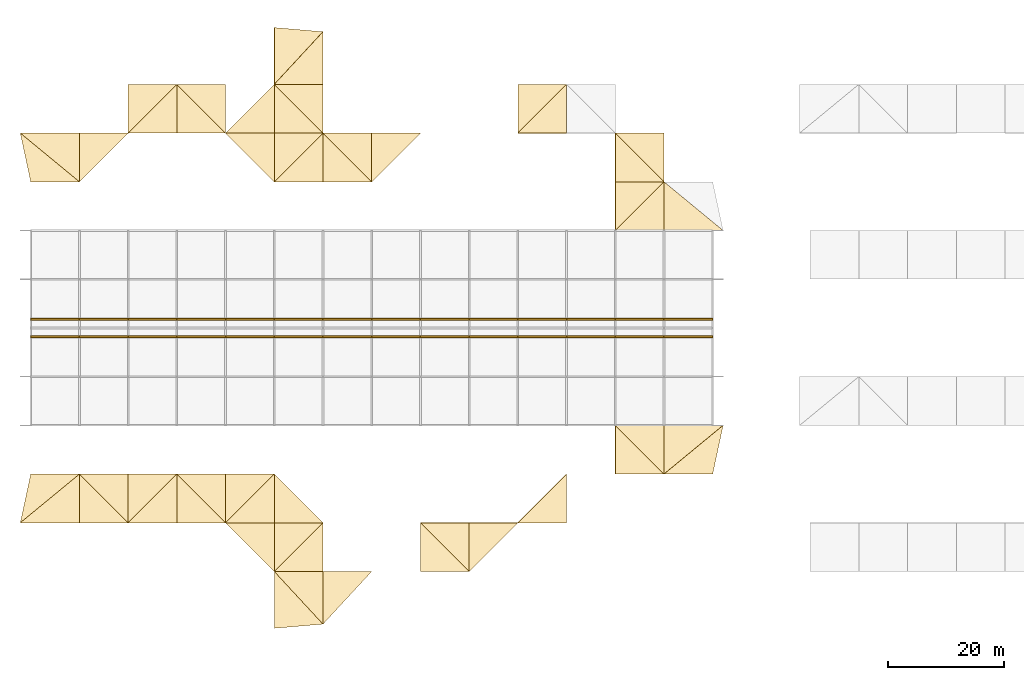
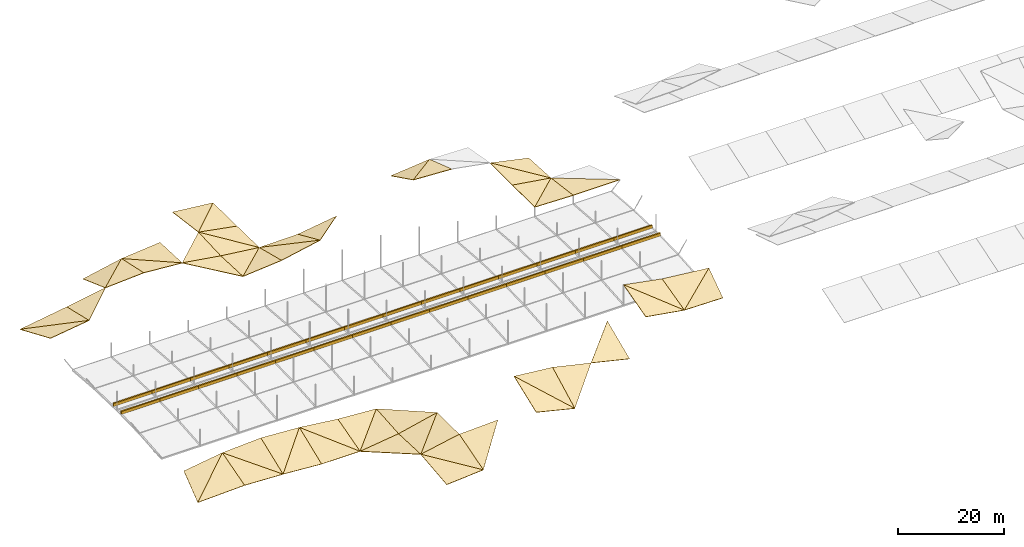
# One storey, part 36 of 37: 78 coverings.
"""IFC4 building model written with IfcOpenShell, lengths in metres."""

from ifc_helpers import new_model, si_unit, direction, frame, origin, origin_2d, place, context, subcontext, project, spatial, polyline, rectangle, outline, extrude, material, layer, layer_set, type_object, element, save


model = new_model("IFC4")

# Units and contexts
model_context = context("Model", 3, precision=1e-05, world=origin(), true_north=direction((0.0, 1.0)))
body_context = subcontext(model_context, "Body", "Model", "MODEL_VIEW")
ifc_project = project(units=[si_unit("LENGTHUNIT", "METRE"), si_unit("AREAUNIT", "SQUARE_METRE"), si_unit("VOLUMEUNIT", "CUBIC_METRE"), si_unit("PLANEANGLEUNIT", "RADIAN"), si_unit("MASSUNIT", "GRAM", prefix="KILO")], contexts=[model_context])

# Site, building, storey
site_placement = place(None, origin())
site = spatial("IfcSite", under=ifc_project, at=site_placement, CompositionType="ELEMENT")
building_placement = place(site_placement, origin())
building = spatial("IfcBuilding", under=site, at=building_placement, Name="Rain Tree Exposition and Congress Centre", CompositionType="ELEMENT")
storey_placement = place(building_placement, frame((0.0, 0.0, 25.0)))
storey = spatial("IfcBuildingStorey", under=building, at=storey_placement, Name="ROOF VAULT LOW", CompositionType="ELEMENT", Elevation=25.0)

# Coverings
ifc_material_1 = material(Name="Precast concrete C50/60", Category="concrete")
ifc_layer_1 = layer(ifc_material_1, 0.300048828125)
ifc_layer_set_1 = layer_set([ifc_layer_1], Name="Precast concrete C50/60")
covering_type_1 = type_object("IfcCoveringType", Name="Ridge lantern kerb 300", PredefinedType="CLADDING", material=ifc_layer_set_1)
for number, where, z_axis, x_axis, name in (
    (1, (12.60009765625, 149.699951171875, 1.2998046875), (0.0, 0.0, 1.0), (1.0, 0.0, 0.0), "Lantern kerb S0"),
    (2, (21.0, 149.699951171875, 1.2998046875), (0.0, 0.0, 1.0), (1.0, 0.0, 0.0), "Lantern kerb S1"),
    (3, (29.39990234375, 149.699951171875, 1.2998046875), (0.0, 0.0, 1.0), (1.0, 0.0, 0.0), "Lantern kerb S2"),
    (4, (37.800048828125, 149.699951171875, 1.2998046875), (0.0, 0.0, 1.0), (1.0, 0.0, 0.0), "Lantern kerb S3"),
    (5, (46.199951171875, 149.699951171875, 1.2998046875), (0.0, 0.0, 1.0), (1.0, 0.0, 0.0), "Lantern kerb S4"),
    (6, (54.60009765625, 149.699951171875, 1.2998046875), (0.0, 0.0, 1.0), (1.0, 0.0, 0.0), "Lantern kerb S5"),
    (7, (63.0, 149.699951171875, 1.2998046875), (0.0, 0.0, 1.0), (1.0, 0.0, 0.0), "Lantern kerb S6"),
    (8, (71.39990234375, 149.699951171875, 1.2998046875), (0.0, 0.0, 1.0), (1.0, 0.0, 0.0), "Lantern kerb S7"),
    (9, (79.800048828125, 149.699951171875, 1.2998046875), (0.0, 0.0, 1.0), (1.0, 0.0, 0.0), "Lantern kerb S8"),
    (10, (88.199951171875, 149.699951171875, 1.2998046875), (0.0, 0.0, 1.0), (1.0, 0.0, 0.0), "Lantern kerb S9"),
    (11, (96.60009765625, 149.699951171875, 1.2998046875), (0.0, 0.0, 1.0), (1.0, 0.0, 0.0), "Lantern kerb S10"),
    (12, (105.0, 149.699951171875, 1.2998046875), (0.0, 0.0, 1.0), (1.0, 0.0, 0.0), "Lantern kerb S11"),
    (13, (113.39990234375, 149.699951171875, 1.2998046875), (0.0, 0.0, 1.0), (1.0, 0.0, 0.0), "Lantern kerb S12"),
    (14, (121.800048828125, 149.699951171875, 1.2998046875), (0.0, 0.0, 1.0), (1.0, 0.0, 0.0), "Lantern kerb S13"),
    (15, (12.60009765625, 152.699951171875, 1.2998046875), (0.0, 0.0, 1.0), (1.0, 0.0, 0.0), "Lantern kerb N0"),
    (16, (21.0, 152.699951171875, 1.2998046875), (0.0, 0.0, 1.0), (1.0, 0.0, 0.0), "Lantern kerb N1"),
    (17, (29.39990234375, 152.699951171875, 1.2998046875), (0.0, 0.0, 1.0), (1.0, 0.0, 0.0), "Lantern kerb N2"),
    (18, (37.800048828125, 152.699951171875, 1.2998046875), (0.0, 0.0, 1.0), (1.0, 0.0, 0.0), "Lantern kerb N3"),
    (19, (46.199951171875, 152.699951171875, 1.2998046875), (0.0, 0.0, 1.0), (1.0, 0.0, 0.0), "Lantern kerb N4"),
    (20, (54.60009765625, 152.699951171875, 1.2998046875), (0.0, 0.0, 1.0), (1.0, 0.0, 0.0), "Lantern kerb N5"),
    (21, (63.0, 152.699951171875, 1.2998046875), (0.0, 0.0, 1.0), (1.0, 0.0, 0.0), "Lantern kerb N6"),
    (22, (71.39990234375, 152.699951171875, 1.2998046875), (0.0, 0.0, 1.0), (1.0, 0.0, 0.0), "Lantern kerb N7"),
    (23, (79.800048828125, 152.699951171875, 1.2998046875), (0.0, 0.0, 1.0), (1.0, 0.0, 0.0), "Lantern kerb N8"),
    (24, (88.199951171875, 152.699951171875, 1.2998046875), (0.0, 0.0, 1.0), (1.0, 0.0, 0.0), "Lantern kerb N9"),
    (25, (96.60009765625, 152.699951171875, 1.2998046875), (0.0, 0.0, 1.0), (1.0, 0.0, 0.0), "Lantern kerb N10"),
    (26, (105.0, 152.699951171875, 1.2998046875), (0.0, 0.0, 1.0), (1.0, 0.0, 0.0), "Lantern kerb N11"),
    (27, (113.39990234375, 152.699951171875, 1.2998046875), (0.0, 0.0, 1.0), (1.0, 0.0, 0.0), "Lantern kerb N12"),
    (28, (121.800048828125, 152.699951171875, 1.2998046875), (0.0, 0.0, 1.0), (1.0, 0.0, 0.0), "Lantern kerb N13"),
):
    element("IfcCovering", number, at=place(storey_placement, frame(where, z_axis=z_axis, x_axis=x_axis)), inside=storey, type_object=covering_type_1, Name=name, PredefinedType="CLADDING", context=body_context, shape_type="SweptSolid", body=[
        extrude(rectangle(XDim=8.39990234375, YDim=0.300048828125, at=origin_2d()), origin(), (0.0, 0.0, 1.0), 0.699951171875),
    ])
ifc_material_2 = material(Name="Aluminium composite cladding", Category="aluminium")
ifc_layer_2 = layer(ifc_material_2, 0.10009765625)
ifc_layer_set_2 = layer_set([ifc_layer_2], Name="Aluminium composite cladding")
covering_type_2 = type_object("IfcCoveringType", Name="Triangular aluminium roof skin facet 100", PredefinedType="CLADDING", material=ifc_layer_set_2)
covering_1_placement = place(storey_placement, frame((50.39990234375, 99.400390625, 0.86572265625), z_axis=(0.006523913549, -0.105168739859, 0.994432991563), x_axis=(0.996324172843, 0.085625906911, 0.002519260704)))
element("IfcCovering", 29, at=covering_1_placement, inside=storey, type_object=covering_type_2, Name="Roof skin facet A11", PredefinedType="CLADDING", context=body_context, shape_type="SweptSolid", body=[
    extrude(outline(polyline([(0.0, 0.0), (8.431137889996144, -8.196568423990414e-17), (0.841707162890582, 9.818197041859387), (0.0, 0.0)])), origin(), (0.0, 0.0, -1.0), 0.10009765625),
])
covering_2_placement = place(storey_placement, frame((58.800048828125, 100.122314453125, 0.886962890625), z_axis=(-0.188889511151, -0.280047134378, 0.941219610454), x_axis=(0.0, 0.958473722268, 0.285180861423)))
element("IfcCovering", 30, at=covering_2_placement, inside=storey, type_object=covering_type_2, Name="Roof skin facet A12", PredefinedType="CLADDING", context=body_context, shape_type="SweptSolid", body=[
    extrude(outline(polyline([(0.0, 0.0), (9.470929153146185, 0.0), (8.990173819130282, 8.554135059498119), (0.0, 0.0)])), origin(), (0.0, 0.0, -1.0), 0.10009765625),
])
covering_3_placement = place(storey_placement, frame((58.800048828125, 100.122314453125, 0.886962890625), z_axis=(-0.040194082527, -0.284950404301, 0.957699171357), x_axis=(0.659377871638, 0.712578853201, 0.239691886316)))
element("IfcCovering", 31, at=covering_3_placement, inside=storey, type_object=covering_type_2, Name="Roof skin facet A14", PredefinedType="CLADDING", context=body_context, shape_type="SweptSolid", body=[
    extrude(outline(polyline([(0.0, 0.0), (12.739132908552019, -7.216449660063518e-16), (7.115922426275624, 6.249971763707574), (0.0, 0.0)])), origin(), (0.0, 0.0, -1.0), 0.10009765625),
])
covering_4_placement = place(storey_placement, frame((50.39990234375, 109.199951171875, 1.902099609375), z_axis=(-0.131074343371, 0.041598269582, 0.990499419726), x_axis=(0.0, 0.999119279611, -0.041960280148)))
element("IfcCovering", 32, at=covering_4_placement, inside=storey, type_object=covering_type_2, Name="Roof skin facet A38", PredefinedType="CLADDING", context=body_context, shape_type="SweptSolid", body=[
    extrude(outline(polyline([(0.0, 0.0), (8.407551186128147, 0.0), (8.454193069798045, 8.473002821959353), (0.0, 0.0)])), origin(), (0.0, 0.0, -1.0), 0.10009765625),
])
covering_5_placement = place(storey_placement, frame((50.39990234375, 109.199951171875, 1.902099609375), z_axis=(-0.196752141684, 0.010371872494, 0.980398398104), x_axis=(0.9804511359, 0.0, 0.196762725416)))
element("IfcCovering", 33, at=covering_5_placement, inside=storey, type_object=covering_type_2, Name="Roof skin facet A39", PredefinedType="CLADDING", context=body_context, shape_type="SweptSolid", body=[
    extrude(outline(polyline([(0.0, 0.0), (8.567633997044904, 0.0), (8.550148247032352, 8.400598346815443), (0.0, 0.0)])), origin(), (0.0, 0.0, -1.0), 0.10009765625),
])
covering_6_placement = place(storey_placement, frame((50.39990234375, 109.199951171875, 1.902099609375), z_axis=(-0.225904769894, 0.040875581329, 0.973291437233), x_axis=(0.700803277309, 0.700803277309, 0.133227373409)))
element("IfcCovering", 34, at=covering_6_placement, inside=storey, type_object=covering_type_2, Name="Roof skin facet A40", PredefinedType="CLADDING", context=body_context, shape_type="SweptSolid", body=[
    extrude(outline(polyline([(0.0, 0.0), (11.986454339409498, 7.216449660063518e-16), (5.83984980659206, 6.048394099578127), (0.0, 0.0)])), origin(), (0.0, 0.0, -1.0), 0.10009765625),
])
covering_7_placement = place(storey_placement, frame((75.60009765625, 109.199951171875, 2.760498046875), z_axis=(0.221163715567, -0.350148069373, 0.910210382511), x_axis=(0.971726123855, 0.0, -0.236110864251)))
element("IfcCovering", 35, at=covering_7_placement, inside=storey, type_object=covering_type_2, Name="Roof skin facet A45", PredefinedType="CLADDING", context=body_context, shape_type="SweptSolid", body=[
    extrude(outline(polyline([(0.0, 0.0), (8.644310508422919, -1.1102230246251565e-16), (-0.762979345515064, 8.96786274900287), (0.0, 0.0)])), origin(), (0.0, 0.0, -1.0), 0.10009765625),
])
covering_8_placement = place(storey_placement, frame((84.0, 109.199951171875, 0.719482421875), z_axis=(0.09242681999, -0.461402612017, 0.882363254318), x_axis=(0.0, 0.886156464746, 0.46338614566)))
element("IfcCovering", 36, at=covering_8_placement, inside=storey, type_object=covering_type_2, Name="Roof skin facet A46", PredefinedType="CLADDING", context=body_context, shape_type="SweptSolid", body=[
    extrude(outline(polyline([(0.0, 0.0), (9.47930395879287, 0.0), (9.887029463909299, 8.436012865136421), (0.0, 0.0)])), origin(), (0.0, 0.0, -1.0), 0.10009765625),
])
covering_9_placement = place(storey_placement, frame((84.0, 109.199951171875, 0.719482421875), z_axis=(0.200379224256, -0.453987938691, 0.868183804277), x_axis=(0.692477330381, 0.692497457025, 0.202292903786)))
element("IfcCovering", 37, at=covering_9_placement, inside=storey, type_object=covering_type_2, Name="Roof skin facet A48", PredefinedType="CLADDING", context=body_context, shape_type="SweptSolid", body=[
    extrude(outline(polyline([(0.0, 0.0), (12.130219972877056, -2.220446049250313e-16), (6.705667463082461, 6.70009159771293), (0.0, 0.0)])), origin(), (0.0, 0.0, -1.0), 0.10009765625),
])
covering_10_placement = place(storey_placement, frame((6.60009765625, 117.60009765625, 1.021484375), z_axis=(-0.037282725989, -0.276405985861, 0.960317514848), x_axis=(0.999247225293, 0.0, 0.038794107074)))
element("IfcCovering", 38, at=covering_10_placement, inside=storey, type_object=covering_type_2, Name="Roof skin facet A57", PredefinedType="CLADDING", context=body_context, shape_type="SweptSolid", body=[
    extrude(outline(polyline([(0.0, 0.0), (10.207635221484917, 0.0), (10.301428688855362, 8.740420725388045), (0.0, 0.0)])), origin(), (0.0, 0.0, -1.0), 0.10009765625),
])
covering_11_placement = place(storey_placement, frame((6.60009765625, 117.60009765625, 1.021484375), z_axis=(-0.146444786215, -0.149715222368, 0.977823745254), x_axis=(0.75500449997, 0.621764159648, 0.208272741381)))
element("IfcCovering", 39, at=covering_11_placement, inside=storey, type_object=covering_type_2, Name="Roof skin facet A58", PredefinedType="CLADDING", context=body_context, shape_type="SweptSolid", body=[
    extrude(outline(polyline([(0.0, 0.0), (13.509788580446592, 4.85722573273506e-17), (6.905621278984387, 5.341361411126917), (0.0, 0.0)])), origin(), (0.0, 0.0, -1.0), 0.10009765625),
])
covering_12_placement = place(storey_placement, frame((16.800048828125, 117.60009765625, 1.41748046875), z_axis=(0.042137983204, -0.276352614353, 0.96013208618), x_axis=(0.999038324169, 0.0, -0.043845488272)))
element("IfcCovering", 40, at=covering_12_placement, inside=storey, type_object=covering_type_2, Name="Roof skin facet A59", PredefinedType="CLADDING", context=body_context, shape_type="SweptSolid", body=[
    extrude(outline(polyline([(0.0, 0.0), (8.407988102696692, 0.0), (-0.10600631600588023, 8.740281135769095), (0.0, 0.0)])), origin(), (0.0, 0.0, -1.0), 0.10009765625),
])
covering_13_placement = place(storey_placement, frame((25.199951171875, 117.60009765625, 1.048828125), z_axis=(-0.053181078862, -0.361907250305, 0.930695930488), x_axis=(0.0, 0.932014838526, 0.362420116394)))
element("IfcCovering", 41, at=covering_13_placement, inside=storey, type_object=covering_type_2, Name="Roof skin facet A60", PredefinedType="CLADDING", context=body_context, shape_type="SweptSolid", body=[
    extrude(outline(polyline([(0.0, 0.0), (9.012627263566081, 2.7755575615628914e-17), (8.838672686214986, 8.41180601535347), (0.0, 0.0)])), origin(), (0.0, 0.0, -1.0), 0.10009765625),
])
covering_14_placement = place(storey_placement, frame((25.199951171875, 117.60009765625, 1.048828125), z_axis=(0.066940813779, -0.370339408662, 0.926481327304), x_axis=(0.99739994652, 0.0, -0.072064878282)))
element("IfcCovering", 42, at=covering_14_placement, inside=storey, type_object=covering_type_2, Name="Roof skin facet A61", PredefinedType="CLADDING", context=body_context, shape_type="SweptSolid", body=[
    extrude(outline(polyline([(0.0, 0.0), (8.42204424983507, 0.0), (8.18007445710744, 9.042882896312832), (0.0, 0.0)])), origin(), (0.0, 0.0, -1.0), 0.10009765625),
])
covering_15_placement = place(storey_placement, frame((25.199951171875, 117.60009765625, 1.048828125), z_axis=(0.057116341401, -0.36182847617, 0.930493351603), x_axis=(0.688889951618, 0.688869929822, 0.225585580983)))
element("IfcCovering", 43, at=covering_15_placement, inside=storey, type_object=covering_type_2, Name="Roof skin facet A62", PredefinedType="CLADDING", context=body_context, shape_type="SweptSolid", body=[
    extrude(outline(polyline([(0.0, 0.0), (12.193742214769374, -5.551115123125783e-16), (6.523283274758387, 6.218860467097822), (0.0, 0.0)])), origin(), (0.0, 0.0, -1.0), 0.10009765625),
])
covering_16_placement = place(storey_placement, frame((33.60009765625, 117.60009765625, 0.44189453125), z_axis=(0.000458803372, -0.371171927586, 0.928564047156), x_axis=(0.999999877933, 0.0, -0.000494099806)))
element("IfcCovering", 44, at=covering_16_placement, inside=storey, type_object=covering_type_2, Name="Roof skin facet A63", PredefinedType="CLADDING", context=body_context, shape_type="SweptSolid", body=[
    extrude(outline(polyline([(0.0, 0.0), (8.399903369103665, -2.168404344971009e-19), (-0.001659022126895984, 9.046119483218504), (0.0, 0.0)])), origin(), (0.0, 0.0, -1.0), 0.10009765625),
])
covering_17_placement = place(storey_placement, frame((42.0, 117.60009765625, 0.437744140625), z_axis=(0.115161017763, -0.267689589334, 0.956598256192), x_axis=(0.0, 0.963005286651, 0.269482500142)))
element("IfcCovering", 45, at=covering_17_placement, inside=storey, type_object=covering_type_2, Name="Roof skin facet A64", PredefinedType="CLADDING", context=body_context, shape_type="SweptSolid", body=[
    extrude(outline(polyline([(0.0, 0.0), (8.72259213961707, 5.551115123125783e-17), (8.995101054555244, 8.456162565652596), (0.0, 0.0)])), origin(), (0.0, 0.0, -1.0), 0.10009765625),
])
covering_18_placement = place(storey_placement, frame((42.0, 117.60009765625, 0.437744140625), z_axis=(-0.130787433976, -0.078076047781, 0.988331309773), x_axis=(0.99135752158, 0.0, 0.131187897336)))
element("IfcCovering", 46, at=covering_18_placement, inside=storey, type_object=covering_type_2, Name="Roof skin facet A65", PredefinedType="CLADDING", context=body_context, shape_type="SweptSolid", body=[
    extrude(outline(polyline([(0.0, 0.0), (8.473131197275505, 0.0), (8.560184103759882, 8.425622346141504), (0.0, 0.0)])), origin(), (0.0, 0.0, -1.0), 0.10009765625),
])
covering_19_placement = place(storey_placement, frame((42.0, 117.60009765625, 0.437744140625), z_axis=(0.065828059459, -0.268897987471, 0.96091650986), x_axis=(0.699341718567, 0.699341718567, 0.147791479268)))
element("IfcCovering", 47, at=covering_19_placement, inside=storey, type_object=covering_type_2, Name="Roof skin facet A66", PredefinedType="CLADDING", context=body_context, shape_type="SweptSolid", body=[
    extrude(outline(polyline([(0.0, 0.0), (12.011155806585078, 0.0), (6.221798713720803, 6.113332511818056), (0.0, 0.0)])), origin(), (0.0, 0.0, -1.0), 0.10009765625),
])
covering_20_placement = place(storey_placement, frame((50.39990234375, 117.60009765625, 1.54931640625), z_axis=(-0.225427263802, -0.076725408375, 0.971234142956), x_axis=(0.974105551615, 0.0, 0.226093729043)))
element("IfcCovering", 48, at=covering_20_placement, inside=storey, type_object=covering_type_2, Name="Roof skin facet A67", PredefinedType="CLADDING", context=body_context, shape_type="SweptSolid", body=[
    extrude(outline(polyline([(0.0, 0.0), (8.623445858046734, -2.7755575615628914e-17), (0.15002996961427542, 8.424736265103139), (0.0, 0.0)])), origin(), (0.0, 0.0, -1.0), 0.10009765625),
])
covering_21_placement = place(storey_placement, frame((92.39990234375, 117.60009765625, 3.17333984375), z_axis=(0.212549798518, -0.387330596988, 0.897105117468), x_axis=(0.973061424107, 0.0, -0.230546014745)))
element("IfcCovering", 49, at=covering_21_placement, inside=storey, type_object=covering_type_2, Name="Roof skin facet A77", PredefinedType="CLADDING", context=body_context, shape_type="SweptSolid", body=[
    extrude(outline(polyline([(0.0, 0.0), (8.632699104358343, -1.1102230246251565e-16), (7.796575801371869, 9.111107246876536), (0.0, 0.0)])), origin(), (0.0, 0.0, -1.0), 0.10009765625),
])
covering_22_placement = place(storey_placement, frame((109.199951171875, 126.0, 2.84033203125), z_axis=(0.158798824989, -0.261517915229, 0.952045856667), x_axis=(0.9863729961, 0.0, -0.16452450445)))
element("IfcCovering", 50, at=covering_22_placement, inside=storey, type_object=covering_type_2, Name="Roof skin facet A109", PredefinedType="CLADDING", context=body_context, shape_type="SweptSolid", body=[
    extrude(outline(polyline([(0.0, 0.0), (8.516196730433249, 5.551115123125783e-17), (-0.37961940711887276, 8.702770758081629), (0.0, 0.0)])), origin(), (0.0, 0.0, -1.0), 0.10009765625),
])
covering_23_placement = place(storey_placement, frame((117.60009765625, 126.0, 1.439208984375), z_axis=(0.179465303561, -0.241557618361, 0.953646748975), x_axis=(0.0, 0.969385396068, 0.245544199463)))
element("IfcCovering", 51, at=covering_23_placement, inside=storey, type_object=covering_type_2, Name="Roof skin facet A110", PredefinedType="CLADDING", context=body_context, shape_type="SweptSolid", body=[
    extrude(outline(polyline([(0.0, 0.0), (8.66518350474573, -5.551115123125783e-17), (9.053342364981225, 8.538779517196213), (0.0, 0.0)])), origin(), (0.0, 0.0, -1.0), 0.10009765625),
])
covering_24_placement = place(storey_placement, frame((117.60009765625, 126.0, 1.439208984375), z_axis=(0.011341846936, -0.137582701541, 0.990425344357), x_axis=(0.999934438125, 0.0, -0.011450740238)))
element("IfcCovering", 52, at=covering_24_placement, inside=storey, type_object=covering_type_2, Name="Roof skin facet A111", PredefinedType="CLADDING", context=body_context, shape_type="SweptSolid", body=[
    extrude(outline(polyline([(0.0, 0.0), (8.400453093207123, 0.0), (10.187258607581617, 8.4805499760848), (0.0, 0.0)])), origin(), (0.0, 0.0, -1.0), 0.10009765625),
])
covering_25_placement = place(storey_placement, frame((117.60009765625, 126.0, 1.439208984375), z_axis=(0.101883751315, -0.244266463917, 0.964341016354), x_axis=(0.769506431924, 0.633706845467, 0.079217960308)))
element("IfcCovering", 53, at=covering_25_placement, inside=storey, type_object=covering_type_2, Name="Roof skin facet A112", PredefinedType="CLADDING", context=body_context, shape_type="SweptSolid", body=[
    extrude(outline(polyline([(0.0, 0.0), (13.255186374948396, 1.1102230246251565e-16), (5.491626525691513, 6.70279369168102), (0.0, 0.0)])), origin(), (0.0, 0.0, -1.0), 0.10009765625),
])
covering_26_placement = place(storey_placement, frame((109.199951171875, 168.0, 2.675537109375), z_axis=(0.025264732774, 0.129928456736, 0.991201437352), x_axis=(0.999675313657, 0.0, -0.025480723402)))
element("IfcCovering", 54, at=covering_26_placement, inside=storey, type_object=covering_type_2, Name="Roof skin facet A249", PredefinedType="CLADDING", context=body_context, shape_type="SweptSolid", body=[
    extrude(outline(polyline([(0.0, 0.0), (8.402874783060208, 3.469446951953614e-18), (8.430930950672751, 8.4717139158019), (0.0, 0.0)])), origin(), (0.0, 0.0, -1.0), 0.10009765625),
])
covering_27_placement = place(storey_placement, frame((109.199951171875, 168.0, 2.675537109375), z_axis=(0.153392801429, 0.001321152209, 0.988164410929), x_axis=(0.702822936795, 0.702802510052, -0.110038863037)))
element("IfcCovering", 55, at=covering_27_placement, inside=storey, type_object=covering_type_2, Name="Roof skin facet A250", PredefinedType="CLADDING", context=body_context, shape_type="SweptSolid", body=[
    extrude(outline(polyline([(0.0, 0.0), (11.952009595302512, -1.8041124150158794e-15), (5.904708239395882, 5.974354033330757), (0.0, 0.0)])), origin(), (0.0, 0.0, -1.0), 0.10009765625),
])
covering_28_placement = place(storey_placement, frame((117.60009765625, 168.0, 2.46142578125), z_axis=(-0.005315993178, 0.129968107227, 0.991503924006), x_axis=(0.999985627226, 0.0, 0.005361468214)))
element("IfcCovering", 56, at=covering_28_placement, inside=storey, type_object=covering_type_2, Name="Roof skin facet A251", PredefinedType="CLADDING", context=body_context, shape_type="SweptSolid", body=[
    extrude(outline(polyline([(0.0, 0.0), (10.200097775575019, 8.673617379884035e-19), (-0.005903374424711933, 8.471758316306188), (0.0, 0.0)])), origin(), (0.0, 0.0, -1.0), 0.10009765625),
])
covering_29_placement = place(storey_placement, frame((8.39990234375, 176.39990234375, 2.628173828125), z_axis=(-0.134858463311, 0.245063682689, 0.960081760217), x_axis=(0.990278333593, 0.0, 0.139100043196)))
element("IfcCovering", 57, at=covering_29_placement, inside=storey, type_object=covering_type_2, Name="Roof skin facet A253", PredefinedType="CLADDING", context=body_context, shape_type="SweptSolid", body=[
    extrude(outline(polyline([(0.0, 0.0), (8.482611604659597, 0.0), (-2.1157265867540915, 8.664348607772933), (0.0, 0.0)])), origin(), (0.0, 0.0, -1.0), 0.10009765625),
])
covering_30_placement = place(storey_placement, frame((16.800048828125, 176.39990234375, 3.80810546875), z_axis=(-0.151655791543, 0.225627726917, 0.962337076984), x_axis=(0.0, 0.973598331628, -0.228268019335)))
element("IfcCovering", 58, at=covering_30_placement, inside=storey, type_object=covering_type_2, Name="Roof skin facet A254", PredefinedType="CLADDING", context=body_context, shape_type="SweptSolid", body=[
    extrude(outline(polyline([(0.0, 0.0), (8.627938454175036, -5.551115123125783e-17), (8.994861461816328, 10.319310853895534), (0.0, 0.0)])), origin(), (0.0, 0.0, -1.0), 0.10009765625),
])
covering_31_placement = place(storey_placement, frame((16.800048828125, 176.39990234375, 3.80810546875), z_axis=(-0.165272334168, 0.225128870364, 0.960209376796), x_axis=(0.706410448837, 0.706430980444, -0.044040295668)))
element("IfcCovering", 59, at=covering_31_placement, inside=storey, type_object=covering_type_2, Name="Roof skin facet A256", PredefinedType="CLADDING", context=body_context, shape_type="SweptSolid", body=[
    extrude(outline(polyline([(0.0, 0.0), (11.890965595956542, 1.3877787807814457e-16), (6.020860305000998, 6.1798513862952715), (0.0, 0.0)])), origin(), (0.0, 0.0, -1.0), 0.10009765625),
])
covering_32_placement = place(storey_placement, frame((50.39990234375, 176.39990234375, 2.19482421875), z_axis=(0.156111650335, 0.042963155515, 0.986804600667), x_axis=(0.0, 0.999053581678, -0.04349644739)))
element("IfcCovering", 60, at=covering_32_placement, inside=storey, type_object=covering_type_2, Name="Roof skin facet A262", PredefinedType="CLADDING", context=body_context, shape_type="SweptSolid", body=[
    extrude(outline(polyline([(0.0, 0.0), (8.408104068115014, 0.0), (8.350303491175366, 8.504168420575553), (0.0, 0.0)])), origin(), (0.0, 0.0, -1.0), 0.10009765625),
])
covering_33_placement = place(storey_placement, frame((50.39990234375, 176.39990234375, 2.19482421875), z_axis=(-0.085997240608, 0.243757114906, 0.966016016192), x_axis=(0.99606088765, 0.0, 0.088671912659)))
element("IfcCovering", 61, at=covering_33_placement, inside=storey, type_object=covering_type_2, Name="Roof skin facet A263", PredefinedType="CLADDING", context=body_context, shape_type="SweptSolid", body=[
    extrude(outline(polyline([(0.0, 0.0), (8.433366462362253, 0.0), (8.245414913116988, 8.661406460518092), (0.0, 0.0)])), origin(), (0.0, 0.0, -1.0), 0.10009765625),
])
covering_34_placement = place(storey_placement, frame((50.39990234375, 176.39990234375, 2.19482421875), z_axis=(0.118811225034, 0.043188356006, 0.991977146265), x_axis=(0.702438765766, 0.702438765766, -0.114715128458)))
element("IfcCovering", 62, at=covering_34_placement, inside=storey, type_object=covering_type_2, Name="Roof skin facet A264", PredefinedType="CLADDING", context=body_context, shape_type="SweptSolid", body=[
    extrude(outline(polyline([(0.0, 0.0), (11.958546273011473, 8.049116928532385e-16), (5.942542450233232, 5.948310957526369), (0.0, 0.0)])), origin(), (0.0, 0.0, -1.0), 0.10009765625),
])
covering_35_placement = place(storey_placement, frame((58.800048828125, 176.39990234375, 2.942626953125), z_axis=(-0.194337866055, 0.239998906879, 0.951122136486), x_axis=(0.979757349536, 0.0, 0.20018875101)))
element("IfcCovering", 63, at=covering_35_placement, inside=storey, type_object=covering_type_2, Name="Roof skin facet A265", PredefinedType="CLADDING", context=body_context, shape_type="SweptSolid", body=[
    extrude(outline(polyline([(0.0, 0.0), (8.573451730401056, -5.551115123125783e-17), (-0.42432586334601197, 8.65304774174186), (0.0, 0.0)])), origin(), (0.0, 0.0, -1.0), 0.10009765625),
])
covering_36_placement = place(storey_placement, frame((67.199951171875, 176.39990234375, 4.658935546875), z_axis=(-0.012275191628, 0.405175826114, 0.914156370433), x_axis=(0.0, 0.914225250909, -0.405206355578)))
element("IfcCovering", 64, at=covering_36_placement, inside=storey, type_object=covering_type_2, Name="Roof skin facet A266", PredefinedType="CLADDING", context=body_context, shape_type="SweptSolid", body=[
    extrude(outline(polyline([(0.0, 0.0), (9.188267854146092, -6.938893903907228e-18), (9.233972281948066, 8.40053526530396), (0.0, 0.0)])), origin(), (0.0, 0.0, -1.0), 0.10009765625),
])
covering_37_placement = place(storey_placement, frame((67.199951171875, 176.39990234375, 4.658935546875), z_axis=(-0.134620382164, 0.401517861921, 0.905903283615), x_axis=(0.692244430823, 0.692244430823, -0.203949248561)))
element("IfcCovering", 65, at=covering_37_placement, inside=storey, type_object=covering_type_2, Name="Roof skin facet A268", PredefinedType="CLADDING", context=body_context, shape_type="SweptSolid", body=[
    extrude(outline(polyline([(0.0, 0.0), (12.134653758625204, -5.551115123125783e-16), (6.574287151341023, 6.418957439588361), (0.0, 0.0)])), origin(), (0.0, 0.0, -1.0), 0.10009765625),
])
covering_38_placement = place(storey_placement, frame((109.199951171875, 176.39990234375, 2.664306640625), z_axis=(0.153392024338, -0.003446366396, 0.988159404868), x_axis=(0.988165273322, 0.0, -0.153392935298)))
element("IfcCovering", 66, at=covering_38_placement, inside=storey, type_object=covering_type_2, Name="Roof skin facet A277", PredefinedType="CLADDING", context=body_context, shape_type="SweptSolid", body=[
    extrude(outline(polyline([(0.0, 0.0), (8.500750543612348, 8.673617379884035e-19), (-0.0044939336513231815, 8.400196370942929), (0.0, 0.0)])), origin(), (0.0, 0.0, -1.0), 0.10009765625),
])
covering_39_placement = place(storey_placement, frame((117.60009765625, 176.39990234375, 1.3603515625), z_axis=(0.21082983849, 0.055933868089, 0.97592119641), x_axis=(0.0, 0.998361592745, -0.057220015139)))
element("IfcCovering", 67, at=covering_39_placement, inside=storey, type_object=covering_type_2, Name="Roof skin facet A278", PredefinedType="CLADDING", context=body_context, shape_type="SweptSolid", body=[
    extrude(outline(polyline([(0.0, 0.0), (8.413931931498253, 0.0), (8.310094926486238, 8.593300006471011), (0.0, 0.0)])), origin(), (0.0, 0.0, -1.0), 0.10009765625),
])
covering_40_placement = place(storey_placement, frame((25.199951171875, 184.800048828125, 3.284423828125), z_axis=(-0.061376939127, 0.211607754591, 0.975425563301), x_axis=(0.998026192079, 0.0, 0.062799043969)))
element("IfcCovering", 68, at=covering_40_placement, inside=storey, type_object=covering_type_2, Name="Roof skin facet A285", PredefinedType="CLADDING", context=body_context, shape_type="SweptSolid", body=[
    extrude(outline(polyline([(0.0, 0.0), (8.416759551042494, -2.7755575615628914e-17), (8.302323011934362, 8.594528240171787), (0.0, 0.0)])), origin(), (0.0, 0.0, -1.0), 0.10009765625),
])
covering_41_placement = place(storey_placement, frame((25.199951171875, 184.800048828125, 3.284423828125), z_axis=(-0.190429273276, 0.332683757556, 0.923611503468), x_axis=(0.702960860793, 0.702940430042, -0.108262551264)))
element("IfcCovering", 69, at=covering_41_placement, inside=storey, type_object=covering_type_2, Name="Roof skin facet A286", PredefinedType="CLADDING", context=body_context, shape_type="SweptSolid", body=[
    extrude(outline(polyline([(0.0, 0.0), (11.949664558706457, 1.6653345369377348e-15), (6.232193904742809, 6.393166997129199), (0.0, 0.0)])), origin(), (0.0, 0.0, -1.0), 0.10009765625),
])
covering_42_placement = place(storey_placement, frame((33.60009765625, 184.800048828125, 3.81298828125), z_axis=(0.075987598611, 0.211394497217, 0.974442533659), x_axis=(0.996973311131, 0.0, -0.077744561814)))
element("IfcCovering", 70, at=covering_42_placement, inside=storey, type_object=covering_type_2, Name="Roof skin facet A287", PredefinedType="CLADDING", context=body_context, shape_type="SweptSolid", body=[
    extrude(outline(polyline([(0.0, 0.0), (8.425403418489902, 0.0), (0.1416712425239776, 8.594122448024297), (0.0, 0.0)])), origin(), (0.0, 0.0, -1.0), 0.10009765625),
])
covering_43_placement = place(storey_placement, frame((42.0, 184.800048828125, 3.157958984375), z_axis=(-0.093949499792, 0.044257441286, 0.994592766101), x_axis=(0.0, 0.999011429497, -0.044454063203)))
element("IfcCovering", 71, at=covering_43_placement, inside=storey, type_object=covering_type_2, Name="Roof skin facet A288", PredefinedType="CLADDING", context=body_context, shape_type="SweptSolid", body=[
    extrude(outline(polyline([(0.0, 0.0), (8.408214456548377, -6.938893903907228e-18), (8.443486845564356, 8.437220472617147), (0.0, 0.0)])), origin(), (0.0, 0.0, -1.0), 0.10009765625),
])
covering_44_placement = place(storey_placement, frame((42.0, 184.800048828125, 3.157958984375), z_axis=(0.15610046936, -0.044596037085, 0.986733924086), x_axis=(0.987716601528, 0.0, -0.156255928097)))
element("IfcCovering", 72, at=covering_44_placement, inside=storey, type_object=covering_type_2, Name="Roof skin facet A289", PredefinedType="CLADDING", context=body_context, shape_type="SweptSolid", body=[
    extrude(outline(polyline([(0.0, 0.0), (8.504364845901723, -6.938893903907228e-18), (8.445044052886242, 8.408267713937027), (0.0, 0.0)])), origin(), (0.0, 0.0, -1.0), 0.10009765625),
])
covering_45_placement = place(storey_placement, frame((50.39990234375, 184.800048828125, 1.8291015625), z_axis=(0.118802626145, -0.044829762925, 0.99190535253), x_axis=(0.992903577271, 0.0, -0.118922185658)))
element("IfcCovering", 73, at=covering_45_placement, inside=storey, type_object=covering_type_2, Name="Roof skin facet A291", PredefinedType="CLADDING", context=body_context, shape_type="SweptSolid", body=[
    extrude(outline(polyline([(0.0, 0.0), (8.460183523015955, 0.0), (-0.04514746061968176, 8.408355761533842), (0.0, 0.0)])), origin(), (0.0, 0.0, -1.0), 0.10009765625),
])
covering_46_placement = place(storey_placement, frame((58.800048828125, 184.800048828125, 0.822998046875), z_axis=(0.181594500558, 0.019403029053, 0.983182058334), x_axis=(0.0, 0.999805323133, -0.01973108802)))
element("IfcCovering", 74, at=covering_46_placement, inside=storey, type_object=covering_type_2, Name="Roof skin facet A292", PredefinedType="CLADDING", context=body_context, shape_type="SweptSolid", body=[
    extrude(outline(polyline([(0.0, 0.0), (8.401537928829972, 0.0), (8.370924876006365, 8.542172936318341), (0.0, 0.0)])), origin(), (0.0, 0.0, -1.0), 0.10009765625),
])
covering_47_placement = place(storey_placement, frame((92.39990234375, 184.800048828125, 4.6513671875), z_axis=(0.048836689988, 0.320087608981, 0.946128374106), x_axis=(0.998670477983, 0.0, -0.051548776961)))
element("IfcCovering", 75, at=covering_47_placement, inside=storey, type_object=covering_type_2, Name="Roof skin facet A301", PredefinedType="CLADDING", context=body_context, shape_type="SweptSolid", body=[
    extrude(outline(polyline([(0.0, 0.0), (8.411329532184357, 0.0), (8.557820685462184, 8.866380840303886), (0.0, 0.0)])), origin(), (0.0, 0.0, -1.0), 0.10009765625),
])
covering_48_placement = place(storey_placement, frame((92.39990234375, 184.800048828125, 4.6513671875), z_axis=(-0.091477196542, 0.439845946325, 0.893402186036), x_axis=(0.681680523051, 0.681660710789, -0.265801316513)))
element("IfcCovering", 76, at=covering_48_placement, inside=storey, type_object=covering_type_2, Name="Roof skin facet A302", PredefinedType="CLADDING", context=body_context, shape_type="SweptSolid", body=[
    extrude(outline(polyline([(0.0, 0.0), (12.322702791588878, -2.220446049250313e-16), (6.82510422749007, 6.40926327779885), (0.0, 0.0)])), origin(), (0.0, 0.0, -1.0), 0.10009765625),
])
covering_49_placement = place(storey_placement, frame((50.39990234375, 193.199951171875, 2.208740234375), z_axis=(0.181614603317, 0.01245575851, 0.983290897925), x_axis=(0.983367183587, 0.0, -0.181628693338)))
element("IfcCovering", 77, at=covering_49_placement, inside=storey, type_object=covering_type_2, Name="Roof skin facet A319", PredefinedType="CLADDING", context=body_context, shape_type="SweptSolid", body=[
    extrude(outline(polyline([(0.0, 0.0), (8.542227790978927, -3.469446951953614e-18), (8.56311331699514, 9.078340979848846), (0.0, 0.0)])), origin(), (0.0, 0.0, -1.0), 0.10009765625),
])
covering_50_placement = place(storey_placement, frame((50.39990234375, 193.199951171875, 2.208740234375), z_axis=(0.053718434227, 0.132000350684, 0.989793027478), x_axis=(0.673104252076, 0.727391586035, -0.133537060036)))
element("IfcCovering", 78, at=covering_50_placement, inside=storey, type_object=covering_type_2, Name="Roof skin facet A320", PredefinedType="CLADDING", context=body_context, shape_type="SweptSolid", body=[
    extrude(outline(polyline([(0.0, 0.0), (12.479710919172065, 2.498001805406602e-16), (7.302635438041471, 6.6641466341574915), (0.0, 0.0)])), origin(), (0.0, 0.0, -1.0), 0.10009765625),
])

save(model, "model.ifc")
